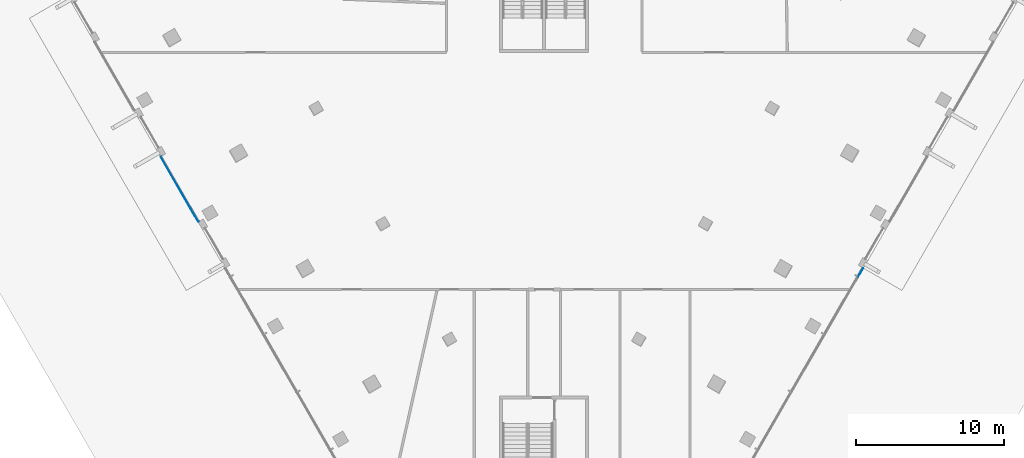
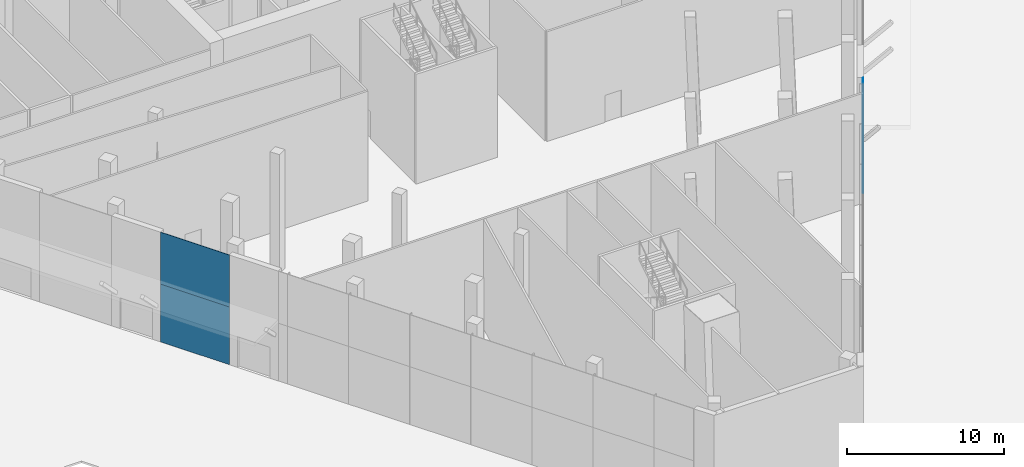
# One storey, part 8 of 21: 4 plates, 2 elements without a shape of their own.
"""IFC4 building model written with IfcOpenShell, lengths in metres."""

from ifc_helpers import new_model, si_unit, direction, frame, origin, origin_2d, place, context, subcontext, project, spatial, rectangle, extrude, material, layer, layer_set, type_object, element, aggregate, save


model = new_model("IFC4")

# Units and contexts
model_context = context("Model", 3, precision=1e-05, world=origin(), true_north=direction((0.0, 1.0)))
body_context = subcontext(model_context, "Body", "Model", "MODEL_VIEW")
ifc_project = project(units=[si_unit("LENGTHUNIT", "METRE"), si_unit("AREAUNIT", "SQUARE_METRE"), si_unit("VOLUMEUNIT", "CUBIC_METRE"), si_unit("PLANEANGLEUNIT", "RADIAN"), si_unit("MASSUNIT", "GRAM", prefix="KILO")], contexts=[model_context])

# Site, building, storey
site_placement = place(None, origin())
site = spatial("IfcSite", under=ifc_project, at=site_placement, CompositionType="ELEMENT")
building_placement = place(site_placement, origin())
building = spatial("IfcBuilding", under=site, at=building_placement, Name="Altiplano Prism Tower", CompositionType="ELEMENT")
storey_placement = place(building_placement, origin())
storey = spatial("IfcBuildingStorey", under=building, at=storey_placement, Name="L00", CompositionType="ELEMENT", Elevation=0.0)

# Curtain wall, plates
ifc_material_1 = material(Name="Aluminium and glass", Category="aluminium")
ifc_layer_1 = layer(ifc_material_1, 0.261962890625)
ifc_layer_set_1 = layer_set([ifc_layer_1], Name="Aluminium and glass")
curtain_wall_type = type_object("IfcCurtainWallType", Name="CW4 concourse and street shopfront", PredefinedType="NOTDEFINED", material=ifc_layer_set_1)
curtain_wall_1_placement = place(storey_placement, origin())
curtain_wall_1 = element("IfcCurtainWall", 1, at=curtain_wall_1_placement, inside=storey, type_object=curtain_wall_type, Name="CW4 shopfront south-west face L00", PredefinedType="NOTDEFINED")
ifc_material_2 = material(Name="Clear glass", Category="glass")
ifc_layer_2 = layer(ifc_material_2, 0.031982421875)
ifc_layer_set_2 = layer_set([ifc_layer_2], Name="Clear glass")
plate_type = type_object("IfcPlateType", Name="CW4 laminated glass panel 32", PredefinedType="CURTAIN_PANEL", material=ifc_layer_set_2)
plate_1_placement = place(storey_placement, frame((60.384521484375, 74.1669921875, 0.0), z_axis=(0.0, 0.0, 1.0), x_axis=(0.499999996478, -0.866025405818, 0.0)))
plate_1 = element("IfcPlate", 2, at=plate_1_placement, type_object=plate_type, Name="CW4 panel", PredefinedType="CURTAIN_PANEL", context=body_context, shape_type="SweptSolid", body=[
    extrude(rectangle(XDim=5.069580078125, YDim=0.031982421875, at=origin_2d()), origin(), (0.0, 0.0, 1.0), 4.5),
])
plate_2_placement = place(storey_placement, frame((60.384521484375, 74.1669921875, 4.5), z_axis=(0.0, 0.0, 1.0), x_axis=(0.499999996478, -0.866025405818, 0.0)))
plate_2 = element("IfcPlate", 3, at=plate_2_placement, type_object=plate_type, Name="CW4 panel", PredefinedType="CURTAIN_PANEL", context=body_context, shape_type="SweptSolid", body=[
    extrude(rectangle(XDim=5.069580078125, YDim=0.031982421875, at=origin_2d()), origin(), (0.0, 0.0, 1.0), 4.050048828125),
])
aggregate(curtain_wall_1, [plate_1, plate_2])

curtain_wall_2_placement = place(storey_placement, origin())
curtain_wall_2 = element("IfcCurtainWall", 4, at=curtain_wall_2_placement, inside=storey, type_object=curtain_wall_type, Name="CW4 shopfront south-east face L00", PredefinedType="NOTDEFINED")
plate_3_placement = place(storey_placement, frame((106.37451171875, 68.553955078125, 0.0), z_axis=(0.0, 0.0, 1.0), x_axis=(0.499999996478, 0.866025405818, 0.0)))
plate_3 = element("IfcPlate", 5, at=plate_3_placement, type_object=plate_type, Name="CW4 panel", PredefinedType="CURTAIN_PANEL", context=body_context, shape_type="SweptSolid", body=[
    extrude(rectangle(XDim=0.67333984375, YDim=0.031982421875, at=origin_2d()), origin(), (0.0, 0.0, 1.0), 4.5),
])
plate_4_placement = place(storey_placement, frame((106.37451171875, 68.553955078125, 4.5), z_axis=(0.0, 0.0, 1.0), x_axis=(0.499999996478, 0.866025405818, 0.0)))
plate_4 = element("IfcPlate", 6, at=plate_4_placement, type_object=plate_type, Name="CW4 panel", PredefinedType="CURTAIN_PANEL", context=body_context, shape_type="SweptSolid", body=[
    extrude(rectangle(XDim=0.67333984375, YDim=0.031982421875, at=origin_2d()), origin(), (0.0, 0.0, 1.0), 4.050048828125),
])
aggregate(curtain_wall_2, [plate_3, plate_4])

save(model, "model.ifc")
